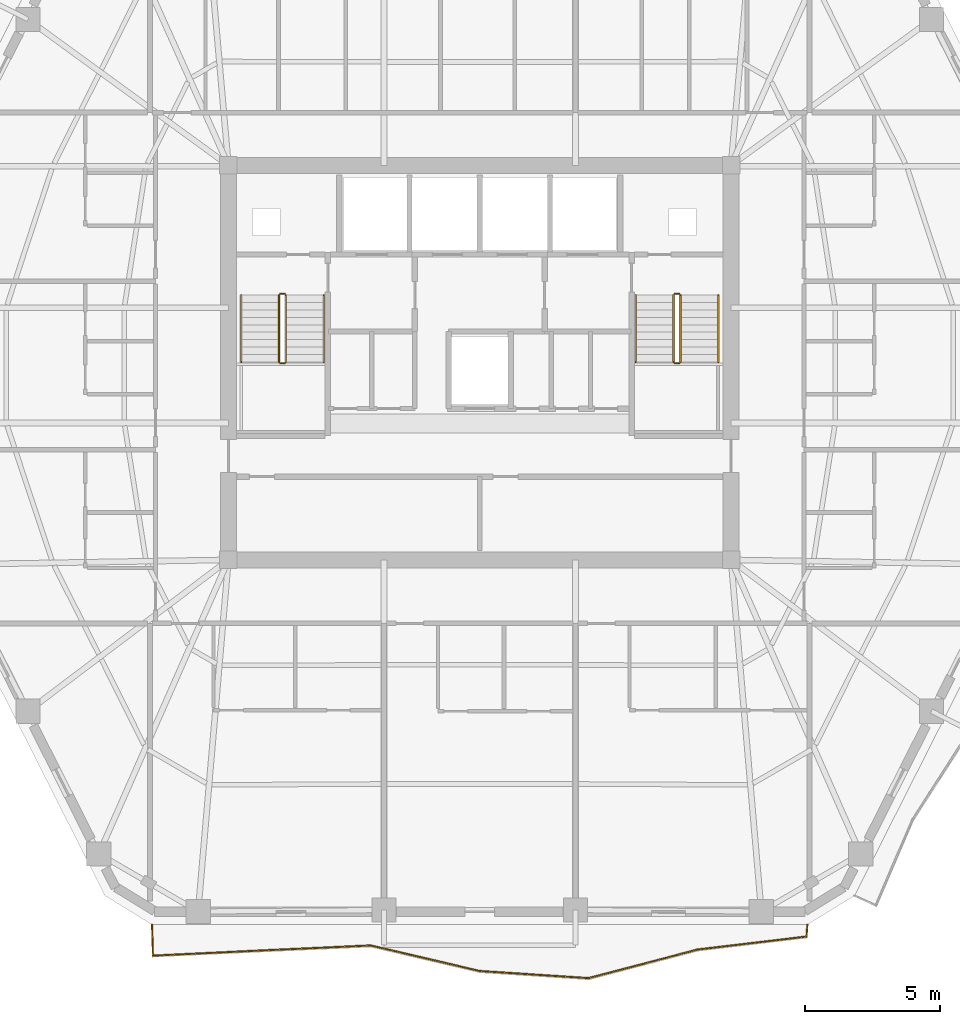
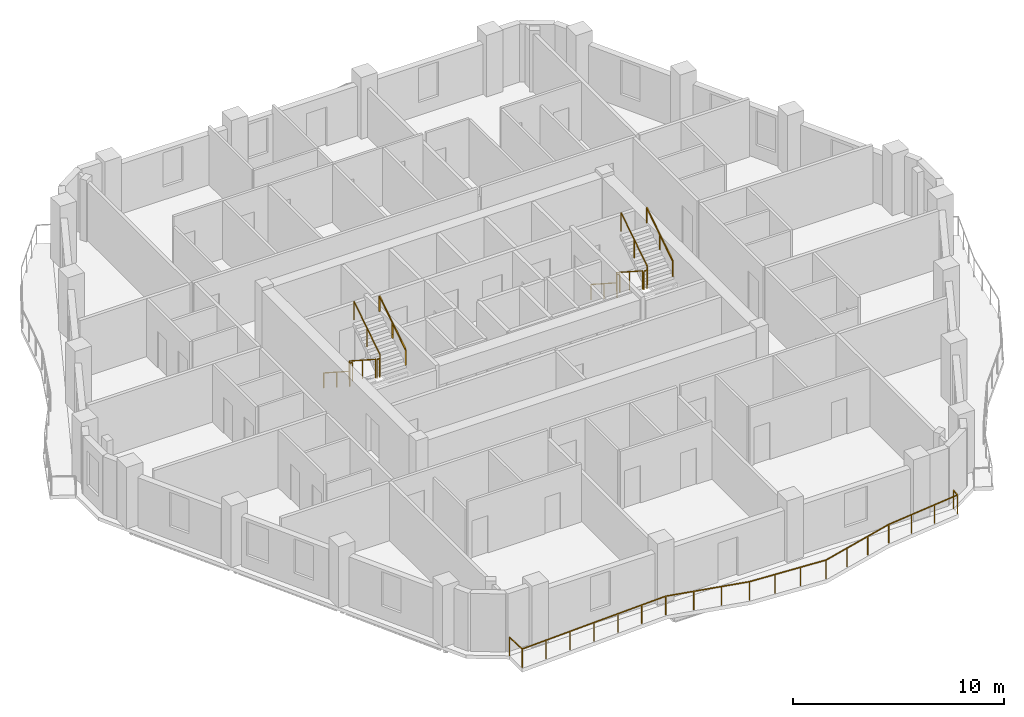
# One storey, part 9 of 10: 13 railings.
"""IFC4 building model written with IfcOpenShell, lengths in metres."""

from ifc_helpers import new_model, si_unit, direction, frame, origin, origin_2d, place, context, subcontext, project, spatial, rectangle, extrude, material, type_object, element, save


model = new_model("IFC4")

# Units and contexts
model_context = context("Model", 3, precision=1e-05, world=origin(), true_north=direction((0.0, 1.0)))
body_context = subcontext(model_context, "Body", "Model", "MODEL_VIEW")
ifc_project = project(units=[si_unit("LENGTHUNIT", "METRE"), si_unit("AREAUNIT", "SQUARE_METRE"), si_unit("VOLUMEUNIT", "CUBIC_METRE"), si_unit("PLANEANGLEUNIT", "RADIAN"), si_unit("MASSUNIT", "GRAM", prefix="KILO")], contexts=[model_context])

# Site, building, storey
site_placement = place(None, origin())
site = spatial("IfcSite", under=ifc_project, at=site_placement, CompositionType="ELEMENT")
building_placement = place(site_placement, origin())
building = spatial("IfcBuilding", under=site, at=building_placement, Name="Cinnabar Lancet Tower", CompositionType="ELEMENT")
storey_placement = place(building_placement, frame((0.0, 0.0, 203.85009765625)))
storey = spatial("IfcBuildingStorey", under=building, at=storey_placement, Name="L54", CompositionType="ELEMENT", Elevation=203.85009765625)

# Railings
ifc_material_1 = material(Name="Laminated safety glass and bronze stainless steel balustrade", Category="steel")
railing_type_1 = type_object("IfcRailingType", Name="ENV-RLG-BAL-1100", PredefinedType="BALUSTRADE", material=ifc_material_1)
railing_1_placement = place(storey_placement, frame((20.27197265625, 5.10009765625, 0.0)))
element("IfcRailing", 1, at=railing_1_placement, inside=storey, type_object=railing_type_1, Name="L54 Face 1 Wave Balcony Balustrade", PredefinedType="BALUSTRADE", context=body_context, shape_type="SweptSolid", body=[
    extrude(rectangle(XDim=0.048095703125, YDim=0.048095703125, at=origin_2d()), frame((0.0, 0.0, 1.076171875), z_axis=(0.029599296215, -0.999561844842, 0.0), x_axis=(0.999561844842, 0.029599296215, 0.0)), (0.0, 0.0, 1.0), 1.146484375),
    extrude(rectangle(XDim=0.048095703125, YDim=0.048095703125, at=origin_2d()), frame((0.033935546875, -1.14599609375, 1.076171875), z_axis=(0.998858541801, 0.047766237774, 0.0), x_axis=(-0.047766237774, 0.998858541801, 0.0)), (0.0, 0.0, 1.0), 4.037841796875),
    extrude(rectangle(XDim=0.048095703125, YDim=0.048095703125, at=origin_2d()), frame((4.067138671875, -0.953125, 1.076171875), z_axis=(0.998947854436, 0.045860485353, 0.0), x_axis=(-0.045860485353, 0.998947854436, 0.0)), (0.0, 0.0, 1.0), 4.03515625),
    extrude(rectangle(XDim=0.048095703125, YDim=0.048095703125, at=origin_2d()), frame((8.09814453125, -0.76806640625, 1.076171875), z_axis=(0.97353229881, -0.228549476426, 0.0), x_axis=(0.228549476426, 0.97353229881, 0.0)), (0.0, 0.0, 1.0), 4.139404296875),
    extrude(rectangle(XDim=0.048095703125, YDim=0.048095703125, at=origin_2d()), frame((12.1279296875, -1.714111328125, 1.076171875), z_axis=(0.997863606909, -0.065331630977, 0.0), x_axis=(0.065331630977, 0.997863606909, 0.0)), (0.0, 0.0, 1.0), 4.03955078125),
    extrude(rectangle(XDim=0.048095703125, YDim=0.048095703125, at=origin_2d()), frame((16.158935546875, -1.97802734375, 1.076171875), z_axis=(0.967232224468, 0.253893331836, 0.0), x_axis=(-0.253893331836, 0.967232224468, 0.0)), (0.0, 0.0, 1.0), 4.16650390625),
    extrude(rectangle(XDim=0.048095703125, YDim=0.048095703125, at=origin_2d()), frame((20.18896484375, -0.920166015625, 1.076171875), z_axis=(0.992960520256, 0.118445790185, 0.0), x_axis=(-0.118445790185, 0.992960520256, 0.0)), (0.0, 0.0, 1.0), 4.060546875),
    extrude(rectangle(XDim=0.048095703125, YDim=0.048095703125, at=origin_2d()), frame((24.220947265625, -0.439208984375, 1.076171875), z_axis=(0.079789267685, 0.996811753925, 0.0), x_axis=(-0.996811753925, 0.079789267685, 0.0)), (0.0, 0.0, 1.0), 0.440673828125),
    extrude(rectangle(XDim=0.0419921875, YDim=0.0419921875, at=origin_2d()), origin(), (0.0, 0.0, 1.0), 1.052001953125),
    extrude(rectangle(XDim=0.0419921875, YDim=0.0419921875, at=origin_2d()), frame((0.033935546875, -1.14599609375, 0.0)), (0.0, 0.0, 1.0), 1.052001953125),
    extrude(rectangle(XDim=0.0419921875, YDim=0.0419921875, at=origin_2d()), frame((1.37841796875, -1.081787109375, 0.0)), (0.0, 0.0, 1.0), 1.052001953125),
    extrude(rectangle(XDim=0.0419921875, YDim=0.0419921875, at=origin_2d()), frame((2.72265625, -1.017333984375, 0.0)), (0.0, 0.0, 1.0), 1.052001953125),
    extrude(rectangle(XDim=0.0419921875, YDim=0.0419921875, at=origin_2d()), frame((4.067138671875, -0.953125, 0.0)), (0.0, 0.0, 1.0), 1.052001953125),
    extrude(rectangle(XDim=0.0419921875, YDim=0.0419921875, at=origin_2d()), frame((5.410888671875, -0.891357421875, 0.0)), (0.0, 0.0, 1.0), 1.052001953125),
    extrude(rectangle(XDim=0.0419921875, YDim=0.0419921875, at=origin_2d()), frame((6.75439453125, -0.829833984375, 0.0)), (0.0, 0.0, 1.0), 1.052001953125),
    extrude(rectangle(XDim=0.0419921875, YDim=0.0419921875, at=origin_2d()), frame((8.09814453125, -0.76806640625, 0.0)), (0.0, 0.0, 1.0), 1.052001953125),
    extrude(rectangle(XDim=0.0419921875, YDim=0.0419921875, at=origin_2d()), frame((9.44140625, -1.08349609375, 0.0)), (0.0, 0.0, 1.0), 1.052001953125),
    extrude(rectangle(XDim=0.0419921875, YDim=0.0419921875, at=origin_2d()), frame((10.78466796875, -1.398681640625, 0.0)), (0.0, 0.0, 1.0), 1.052001953125),
    extrude(rectangle(XDim=0.0419921875, YDim=0.0419921875, at=origin_2d()), frame((12.1279296875, -1.714111328125, 0.0)), (0.0, 0.0, 1.0), 1.052001953125),
    extrude(rectangle(XDim=0.0419921875, YDim=0.0419921875, at=origin_2d()), frame((13.4716796875, -1.802001953125, 0.0)), (0.0, 0.0, 1.0), 1.052001953125),
    extrude(rectangle(XDim=0.0419921875, YDim=0.0419921875, at=origin_2d()), frame((14.815185546875, -1.89013671875, 0.0)), (0.0, 0.0, 1.0), 1.052001953125),
    extrude(rectangle(XDim=0.0419921875, YDim=0.0419921875, at=origin_2d()), frame((16.158935546875, -1.97802734375, 0.0)), (0.0, 0.0, 1.0), 1.052001953125),
    extrude(rectangle(XDim=0.0419921875, YDim=0.0419921875, at=origin_2d()), frame((17.502197265625, -1.62548828125, 0.0)), (0.0, 0.0, 1.0), 1.052001953125),
    extrude(rectangle(XDim=0.0419921875, YDim=0.0419921875, at=origin_2d()), frame((18.845703125, -1.272705078125, 0.0)), (0.0, 0.0, 1.0), 1.052001953125),
    extrude(rectangle(XDim=0.0419921875, YDim=0.0419921875, at=origin_2d()), frame((20.18896484375, -0.920166015625, 0.0)), (0.0, 0.0, 1.0), 1.052001953125),
    extrude(rectangle(XDim=0.0419921875, YDim=0.0419921875, at=origin_2d()), frame((21.532958984375, -0.759765625, 0.0)), (0.0, 0.0, 1.0), 1.052001953125),
    extrude(rectangle(XDim=0.0419921875, YDim=0.0419921875, at=origin_2d()), frame((22.876953125, -0.599609375, 0.0)), (0.0, 0.0, 1.0), 1.052001953125),
    extrude(rectangle(XDim=0.0419921875, YDim=0.0419921875, at=origin_2d()), frame((24.220947265625, -0.439208984375, 0.0)), (0.0, 0.0, 1.0), 1.052001953125),
    extrude(rectangle(XDim=0.0419921875, YDim=0.0419921875, at=origin_2d()), frame((24.256103515625, 0.0, 0.0)), (0.0, 0.0, 1.0), 1.052001953125),
])
ifc_material_2 = material(Name="Painted galvanized steel balustrade", Category="steel")
railing_type_2 = type_object("IfcRailingType", Name="GUARD-STAIR", PredefinedType="GUARDRAIL", material=ifc_material_2)
railing_2_placement = place(storey_placement, frame((24.97509765625, 28.39990234375, 0.177490234375)))
element("IfcRailing", 2, at=railing_2_placement, inside=storey, type_object=railing_type_2, Name="L54 ST-1 stair guard 1", PredefinedType="GUARDRAIL", context=body_context, shape_type="SweptSolid", body=[
    extrude(rectangle(XDim=0.048095703125, YDim=0.048095703125, at=origin_2d()), frame((0.0, 0.0, 1.076171875), z_axis=(0.0, -0.840183358697, 0.542302428327), x_axis=(1.0, 0.0, 0.0)), (0.0, 0.0, 1.0), 2.945556640625),
    extrude(rectangle(XDim=0.0419921875, YDim=0.0419921875, at=origin_2d()), origin(), (0.0, 0.0, 1.0), 1.052001953125),
    extrude(rectangle(XDim=0.0419921875, YDim=0.0419921875, at=origin_2d()), frame((0.0, -1.2373046875, 0.798828125)), (0.0, 0.0, 1.0), 1.052001953125),
    extrude(rectangle(XDim=0.0419921875, YDim=0.0419921875, at=origin_2d()), frame((0.0, -2.474853515625, 1.597412109375)), (0.0, 0.0, 1.0), 1.052001953125),
])
railing_3_placement = place(storey_placement, frame((25.02490234375, 25.875, 1.77490234375)))
element("IfcRailing", 3, at=railing_3_placement, inside=storey, type_object=railing_type_2, Name="L54 ST-1 stair guard 2", PredefinedType="GUARDRAIL", context=body_context, shape_type="SweptSolid", body=[
    extrude(rectangle(XDim=0.048095703125, YDim=0.048095703125, at=origin_2d()), frame((0.0, 0.0, 1.076171875), z_axis=(1.0, 0.0, 0.0), x_axis=(0.0, 1.0, 0.0)), (0.0, 0.0, 1.0), 0.150146484375),
    extrude(rectangle(XDim=0.0419921875, YDim=0.0419921875, at=origin_2d()), origin(), (0.0, 0.0, 1.0), 1.052001953125),
    extrude(rectangle(XDim=0.0419921875, YDim=0.0419921875, at=origin_2d()), frame((0.150146484375, 0.0, 0.0)), (0.0, 0.0, 1.0), 1.052001953125),
])
railing_4_placement = place(storey_placement, frame((25.22509765625, 25.925048828125, 1.952392578125)))
element("IfcRailing", 4, at=railing_4_placement, inside=storey, type_object=railing_type_2, Name="L54 ST-1 stair guard 3", PredefinedType="GUARDRAIL", context=body_context, shape_type="SweptSolid", body=[
    extrude(rectangle(XDim=0.048095703125, YDim=0.048095703125, at=origin_2d()), frame((0.0, 0.0, 1.076171875), z_axis=(0.0, 0.840183358697, 0.542302428327), x_axis=(-1.0, 0.0, 0.0)), (0.0, 0.0, 1.0), 2.945556640625),
    extrude(rectangle(XDim=0.0419921875, YDim=0.0419921875, at=origin_2d()), origin(), (0.0, 0.0, 1.0), 1.052001953125),
    extrude(rectangle(XDim=0.0419921875, YDim=0.0419921875, at=origin_2d()), frame((0.0, 1.2373046875, 0.798828125)), (0.0, 0.0, 1.0), 1.052001953125),
    extrude(rectangle(XDim=0.0419921875, YDim=0.0419921875, at=origin_2d()), frame((0.0, 2.474853515625, 1.597412109375)), (0.0, 0.0, 1.0), 1.052001953125),
])
railing_5_placement = place(storey_placement, frame((25.02490234375, 28.449951171875, 0.0)))
element("IfcRailing", 5, at=railing_5_placement, inside=storey, type_object=railing_type_2, Name="L54 ST-1 stair guard 4", PredefinedType="GUARDRAIL", context=body_context, shape_type="SweptSolid", body=[
    extrude(rectangle(XDim=0.048095703125, YDim=0.048095703125, at=origin_2d()), frame((0.0, 0.0, 1.076171875), z_axis=(1.0, 0.0, 0.0), x_axis=(0.0, 1.0, 0.0)), (0.0, 0.0, 1.0), 0.150146484375),
    extrude(rectangle(XDim=0.0419921875, YDim=0.0419921875, at=origin_2d()), origin(), (0.0, 0.0, 1.0), 1.052001953125),
    extrude(rectangle(XDim=0.0419921875, YDim=0.0419921875, at=origin_2d()), frame((0.150146484375, 0.0, 0.0)), (0.0, 0.0, 1.0), 1.052001953125),
])
railing_6_placement = place(storey_placement, frame((39.574951171875, 28.39990234375, 0.177490234375)))
element("IfcRailing", 6, at=railing_6_placement, inside=storey, type_object=railing_type_2, Name="L54 ST-2 stair guard 1", PredefinedType="GUARDRAIL", context=body_context, shape_type="SweptSolid", body=[
    extrude(rectangle(XDim=0.048095703125, YDim=0.048095703125, at=origin_2d()), frame((0.0, 0.0, 1.076171875), z_axis=(0.0, -0.840183358697, 0.542302428327), x_axis=(1.0, 0.0, 0.0)), (0.0, 0.0, 1.0), 2.945556640625),
    extrude(rectangle(XDim=0.0419921875, YDim=0.0419921875, at=origin_2d()), origin(), (0.0, 0.0, 1.0), 1.052001953125),
    extrude(rectangle(XDim=0.0419921875, YDim=0.0419921875, at=origin_2d()), frame((0.0, -1.2373046875, 0.798828125)), (0.0, 0.0, 1.0), 1.052001953125),
    extrude(rectangle(XDim=0.0419921875, YDim=0.0419921875, at=origin_2d()), frame((0.0, -2.474853515625, 1.597412109375)), (0.0, 0.0, 1.0), 1.052001953125),
])
railing_7_placement = place(storey_placement, frame((39.625, 25.875, 1.77490234375)))
element("IfcRailing", 7, at=railing_7_placement, inside=storey, type_object=railing_type_2, Name="L54 ST-2 stair guard 2", PredefinedType="GUARDRAIL", context=body_context, shape_type="SweptSolid", body=[
    extrude(rectangle(XDim=0.048095703125, YDim=0.048095703125, at=origin_2d()), frame((0.0, 0.0, 1.076171875), z_axis=(1.0, 0.0, 0.0), x_axis=(0.0, 1.0, 0.0)), (0.0, 0.0, 1.0), 0.14990234375),
    extrude(rectangle(XDim=0.0419921875, YDim=0.0419921875, at=origin_2d()), origin(), (0.0, 0.0, 1.0), 1.052001953125),
    extrude(rectangle(XDim=0.0419921875, YDim=0.0419921875, at=origin_2d()), frame((0.14990234375, 0.0, 0.0)), (0.0, 0.0, 1.0), 1.052001953125),
])
railing_8_placement = place(storey_placement, frame((39.824951171875, 25.925048828125, 1.952392578125)))
element("IfcRailing", 8, at=railing_8_placement, inside=storey, type_object=railing_type_2, Name="L54 ST-2 stair guard 3", PredefinedType="GUARDRAIL", context=body_context, shape_type="SweptSolid", body=[
    extrude(rectangle(XDim=0.048095703125, YDim=0.048095703125, at=origin_2d()), frame((0.0, 0.0, 1.076171875), z_axis=(0.0, 0.840183358697, 0.542302428327), x_axis=(-1.0, 0.0, 0.0)), (0.0, 0.0, 1.0), 2.945556640625),
    extrude(rectangle(XDim=0.0419921875, YDim=0.0419921875, at=origin_2d()), origin(), (0.0, 0.0, 1.0), 1.052001953125),
    extrude(rectangle(XDim=0.0419921875, YDim=0.0419921875, at=origin_2d()), frame((0.0, 1.2373046875, 0.798828125)), (0.0, 0.0, 1.0), 1.052001953125),
    extrude(rectangle(XDim=0.0419921875, YDim=0.0419921875, at=origin_2d()), frame((0.0, 2.474853515625, 1.597412109375)), (0.0, 0.0, 1.0), 1.052001953125),
])
railing_9_placement = place(storey_placement, frame((39.625, 28.449951171875, 0.0)))
element("IfcRailing", 9, at=railing_9_placement, inside=storey, type_object=railing_type_2, Name="L54 ST-2 stair guard 4", PredefinedType="GUARDRAIL", context=body_context, shape_type="SweptSolid", body=[
    extrude(rectangle(XDim=0.048095703125, YDim=0.048095703125, at=origin_2d()), frame((0.0, 0.0, 1.076171875), z_axis=(1.0, 0.0, 0.0), x_axis=(0.0, 1.0, 0.0)), (0.0, 0.0, 1.0), 0.14990234375),
    extrude(rectangle(XDim=0.0419921875, YDim=0.0419921875, at=origin_2d()), origin(), (0.0, 0.0, 1.0), 1.052001953125),
    extrude(rectangle(XDim=0.0419921875, YDim=0.0419921875, at=origin_2d()), frame((0.14990234375, 0.0, 0.0)), (0.0, 0.0, 1.0), 1.052001953125),
])
ifc_material_3 = material(Name="Brushed stainless steel handrail", Category="steel")
railing_type_3 = type_object("IfcRailingType", Name="HANDRAIL-STAIR", PredefinedType="HANDRAIL", material=ifc_material_3)
railing_10_placement = place(storey_placement, frame((23.574951171875, 28.39990234375, 0.177490234375)))
element("IfcRailing", 10, at=railing_10_placement, inside=storey, type_object=railing_type_3, Name="L54 ST-1 stair handrail 1", PredefinedType="HANDRAIL", context=body_context, shape_type="SweptSolid", body=[
    extrude(rectangle(XDim=0.048095703125, YDim=0.048095703125, at=origin_2d()), frame((0.0, 0.0, 0.8759765625), z_axis=(0.0, -0.840183358697, 0.542302428327), x_axis=(1.0, 0.0, 0.0)), (0.0, 0.0, 1.0), 2.945556640625),
    extrude(rectangle(XDim=0.0419921875, YDim=0.0419921875, at=origin_2d()), origin(), (0.0, 0.0, 1.0), 0.851806640625),
    extrude(rectangle(XDim=0.0419921875, YDim=0.0419921875, at=origin_2d()), frame((0.0, -1.2373046875, 0.798828125)), (0.0, 0.0, 1.0), 0.851806640625),
    extrude(rectangle(XDim=0.0419921875, YDim=0.0419921875, at=origin_2d()), frame((0.0, -2.474853515625, 1.597412109375)), (0.0, 0.0, 1.0), 0.851806640625),
])
railing_11_placement = place(storey_placement, frame((26.625, 25.925048828125, 1.952392578125)))
element("IfcRailing", 11, at=railing_11_placement, inside=storey, type_object=railing_type_3, Name="L54 ST-1 stair handrail 2", PredefinedType="HANDRAIL", context=body_context, shape_type="SweptSolid", body=[
    extrude(rectangle(XDim=0.048095703125, YDim=0.048095703125, at=origin_2d()), frame((0.0, 0.0, 0.8759765625), z_axis=(0.0, 0.840183358697, 0.542302428327), x_axis=(-1.0, 0.0, 0.0)), (0.0, 0.0, 1.0), 2.945556640625),
    extrude(rectangle(XDim=0.0419921875, YDim=0.0419921875, at=origin_2d()), origin(), (0.0, 0.0, 1.0), 0.851806640625),
    extrude(rectangle(XDim=0.0419921875, YDim=0.0419921875, at=origin_2d()), frame((0.0, 1.2373046875, 0.798828125)), (0.0, 0.0, 1.0), 0.851806640625),
    extrude(rectangle(XDim=0.0419921875, YDim=0.0419921875, at=origin_2d()), frame((0.0, 2.474853515625, 1.597412109375)), (0.0, 0.0, 1.0), 0.851806640625),
])
railing_12_placement = place(storey_placement, frame((38.175048828125, 28.39990234375, 0.177490234375)))
element("IfcRailing", 12, at=railing_12_placement, inside=storey, type_object=railing_type_3, Name="L54 ST-2 stair handrail 1", PredefinedType="HANDRAIL", context=body_context, shape_type="SweptSolid", body=[
    extrude(rectangle(XDim=0.048095703125, YDim=0.048095703125, at=origin_2d()), frame((0.0, 0.0, 0.8759765625), z_axis=(0.0, -0.840183358697, 0.542302428327), x_axis=(1.0, 0.0, 0.0)), (0.0, 0.0, 1.0), 2.945556640625),
    extrude(rectangle(XDim=0.0419921875, YDim=0.0419921875, at=origin_2d()), origin(), (0.0, 0.0, 1.0), 0.851806640625),
    extrude(rectangle(XDim=0.0419921875, YDim=0.0419921875, at=origin_2d()), frame((0.0, -1.2373046875, 0.798828125)), (0.0, 0.0, 1.0), 0.851806640625),
    extrude(rectangle(XDim=0.0419921875, YDim=0.0419921875, at=origin_2d()), frame((0.0, -2.474853515625, 1.597412109375)), (0.0, 0.0, 1.0), 0.851806640625),
])
railing_13_placement = place(storey_placement, frame((41.22509765625, 25.925048828125, 1.952392578125)))
element("IfcRailing", 13, at=railing_13_placement, inside=storey, type_object=railing_type_3, Name="L54 ST-2 stair handrail 2", PredefinedType="HANDRAIL", context=body_context, shape_type="SweptSolid", body=[
    extrude(rectangle(XDim=0.048095703125, YDim=0.048095703125, at=origin_2d()), frame((0.0, 0.0, 0.8759765625), z_axis=(0.0, 0.840183358697, 0.542302428327), x_axis=(-1.0, 0.0, 0.0)), (0.0, 0.0, 1.0), 2.945556640625),
    extrude(rectangle(XDim=0.0419921875, YDim=0.0419921875, at=origin_2d()), origin(), (0.0, 0.0, 1.0), 0.851806640625),
    extrude(rectangle(XDim=0.0419921875, YDim=0.0419921875, at=origin_2d()), frame((0.0, 1.2373046875, 0.798828125)), (0.0, 0.0, 1.0), 0.851806640625),
    extrude(rectangle(XDim=0.0419921875, YDim=0.0419921875, at=origin_2d()), frame((0.0, 2.474853515625, 1.597412109375)), (0.0, 0.0, 1.0), 0.851806640625),
])

save(model, "model.ifc")
